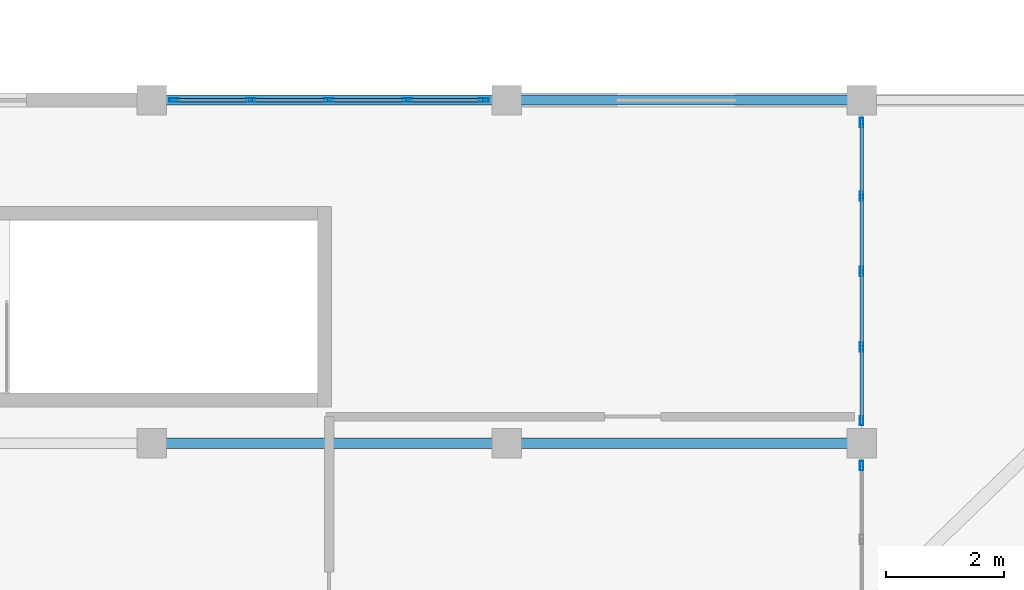
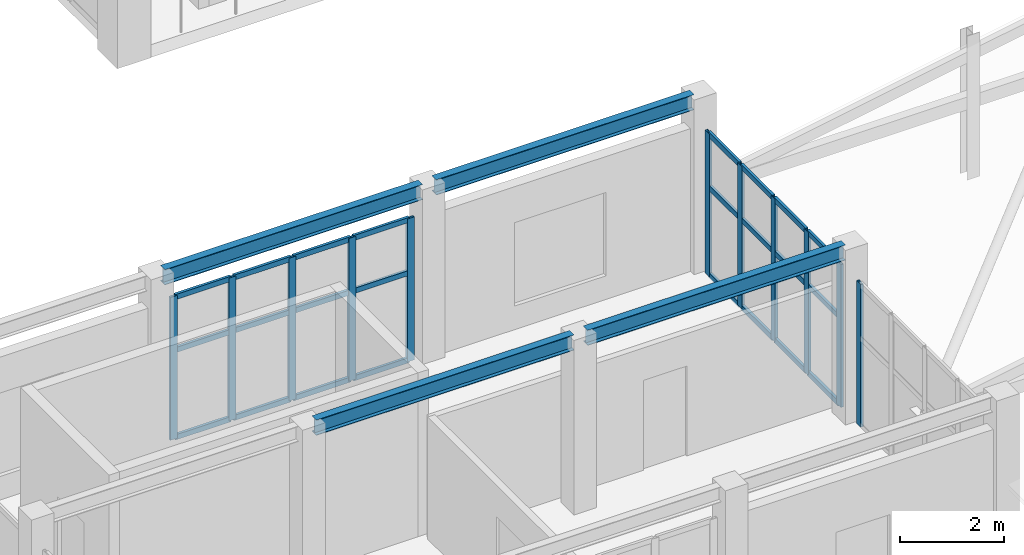
# One storey, part 18 of 128: 35 members, 4 beams, 3 elements without a shape of their own.
"""IFC4 building model written with IfcOpenShell, lengths in metres."""

from ifc_helpers import new_model, si_unit, direction, frame, origin, origin_2d, place, context, subcontext, project, spatial, hollow_rectangle, i_section, extrude, material, material_profile, profile_set, type_object, element, aggregate, save


model = new_model("IFC4")

# Units and contexts
model_context = context("Model", 3, precision=1e-05, world=origin(), true_north=direction((0.0, 1.0)))
body_context = subcontext(model_context, "Body", "Model", "MODEL_VIEW")
ifc_project = project(units=[si_unit("LENGTHUNIT", "METRE"), si_unit("AREAUNIT", "SQUARE_METRE"), si_unit("VOLUMEUNIT", "CUBIC_METRE"), si_unit("PLANEANGLEUNIT", "RADIAN"), si_unit("MASSUNIT", "GRAM", prefix="KILO")], contexts=[model_context])

# Site, building, storey
site_placement = place(None, origin())
site = spatial("IfcSite", under=ifc_project, at=site_placement, CompositionType="ELEMENT")
building_placement = place(site_placement, origin())
building = spatial("IfcBuilding", under=site, at=building_placement, Name="Tanwirah Colonnade Gardens", CompositionType="ELEMENT")
storey_placement = place(building_placement, frame((0.0, 0.0, 4.760009765625)))
storey = spatial("IfcBuildingStorey", under=building, at=storey_placement, Name="L01", CompositionType="ELEMENT", Elevation=4.760009765625)

# Curtain wall, members
ifc_material_1 = material(Name="Bronze-anodised aluminium and solar-control low-E glass", Category="aluminium")
curtain_wall_type = type_object("IfcCurtainWallType", Name="CW-SHP", PredefinedType="NOTDEFINED", material=ifc_material_1)
curtain_wall_1_placement = place(storey_placement, origin())
curtain_wall_1 = element("IfcCurtainWall", 1, at=curtain_wall_1_placement, inside=storey, type_object=curtain_wall_type, Name="Curtain Wall CW-SHP-W-L01-N-1", PredefinedType="NOTDEFINED")
ifc_material_2 = material(Name="Bronze-anodised aluminium", Category="aluminium")
ifc_material_profile_1 = material_profile(ifc_material_2, hollow_rectangle(XDim=0.06005859375, YDim=0.159912109375, WallThickness=0.00390625, at=origin_2d()), Name="CW-MUL 60x160x4")
ifc_profile_set_1 = profile_set([ifc_material_profile_1], Name="Bronze-anodised aluminium")
member_type_1 = type_object("IfcMemberType", Name="CWM-60x160", PredefinedType="MULLION", material=ifc_profile_set_1)
member_1_placement = place(storey_placement, frame((72.3798828125, 28.199951171875, 0.0), z_axis=(0.0, 0.0, 1.0), x_axis=(0.0, 1.0, 0.0)))
member_1 = element("IfcMember", 2, at=member_1_placement, type_object=member_type_1, Name="CW-SHP mullion 1", PredefinedType="MULLION", context=body_context, shape_type="SweptSolid", body=[
    extrude(hollow_rectangle(XDim=0.06005859375, YDim=0.159912109375, WallThickness=0.00390625, at=origin_2d()), origin(), (0.0, 0.0, 1.0), 3.340087890625),
])
member_2_placement = place(storey_placement, frame((73.675048828125, 28.199951171875, 0.0), z_axis=(0.0, 0.0, 1.0), x_axis=(0.0, 1.0, 0.0)))
member_2 = element("IfcMember", 3, at=member_2_placement, type_object=member_type_1, Name="CW-SHP mullion 2", PredefinedType="MULLION", context=body_context, shape_type="SweptSolid", body=[
    extrude(hollow_rectangle(XDim=0.06005859375, YDim=0.159912109375, WallThickness=0.00390625, at=origin_2d()), origin(), (0.0, 0.0, 1.0), 3.340087890625),
])
member_3_placement = place(storey_placement, frame((75.0, 28.199951171875, 0.0), z_axis=(0.0, 0.0, 1.0), x_axis=(0.0, 1.0, 0.0)))
member_3 = element("IfcMember", 4, at=member_3_placement, type_object=member_type_1, Name="CW-SHP mullion 3", PredefinedType="MULLION", context=body_context, shape_type="SweptSolid", body=[
    extrude(hollow_rectangle(XDim=0.06005859375, YDim=0.159912109375, WallThickness=0.00390625, at=origin_2d()), origin(), (0.0, 0.0, 1.0), 3.340087890625),
])
member_4_placement = place(storey_placement, frame((76.324951171875, 28.199951171875, 0.0), z_axis=(0.0, 0.0, 1.0), x_axis=(0.0, 1.0, 0.0)))
member_4 = element("IfcMember", 5, at=member_4_placement, type_object=member_type_1, Name="CW-SHP mullion 4", PredefinedType="MULLION", context=body_context, shape_type="SweptSolid", body=[
    extrude(hollow_rectangle(XDim=0.06005859375, YDim=0.159912109375, WallThickness=0.00390625, at=origin_2d()), origin(), (0.0, 0.0, 1.0), 3.340087890625),
])
member_5_placement = place(storey_placement, frame((77.6201171875, 28.199951171875, 0.0), z_axis=(0.0, 0.0, 1.0), x_axis=(0.0, 1.0, 0.0)))
member_5 = element("IfcMember", 6, at=member_5_placement, type_object=member_type_1, Name="CW-SHP mullion 5", PredefinedType="MULLION", context=body_context, shape_type="SweptSolid", body=[
    extrude(hollow_rectangle(XDim=0.06005859375, YDim=0.159912109375, WallThickness=0.00390625, at=origin_2d()), origin(), (0.0, 0.0, 1.0), 3.340087890625),
])

# Curtain wall, member
curtain_wall_2_placement = place(storey_placement, origin())
curtain_wall_2 = element("IfcCurtainWall", 7, at=curtain_wall_2_placement, inside=storey, type_object=curtain_wall_type, Name="Curtain Wall CW-SHP-W-L01-E-1", PredefinedType="NOTDEFINED")
member_6_placement = place(storey_placement, frame((84.0, 22.02001953125, 0.0), z_axis=(0.0, 0.0, 1.0), x_axis=(-1.0, 0.0, 0.0)))
member_6 = element("IfcMember", 8, at=member_6_placement, type_object=member_type_1, Name="CW-SHP mullion 5", PredefinedType="MULLION", context=body_context, shape_type="SweptSolid", body=[
    extrude(hollow_rectangle(XDim=0.06005859375, YDim=0.159912109375, WallThickness=0.00390625, at=origin_2d()), origin(), (0.0, 0.0, 1.0), 3.340087890625),
])
aggregate(curtain_wall_2, [member_6])

# Curtain wall, members
curtain_wall_3_placement = place(storey_placement, origin())
curtain_wall_3 = element("IfcCurtainWall", 9, at=curtain_wall_3_placement, inside=storey, type_object=curtain_wall_type, Name="Curtain Wall CW-SHP-W-L01-E-2", PredefinedType="NOTDEFINED")
member_7_placement = place(storey_placement, frame((84.0, 22.780029296875, 0.0), z_axis=(0.0, 0.0, 1.0), x_axis=(-1.0, 0.0, 0.0)))
member_7 = element("IfcMember", 10, at=member_7_placement, type_object=member_type_1, Name="CW-SHP mullion 1", PredefinedType="MULLION", context=body_context, shape_type="SweptSolid", body=[
    extrude(hollow_rectangle(XDim=0.06005859375, YDim=0.159912109375, WallThickness=0.00390625, at=origin_2d()), origin(), (0.0, 0.0, 1.0), 3.340087890625),
])
member_8_placement = place(storey_placement, frame((84.0, 24.02490234375, 0.0), z_axis=(0.0, 0.0, 1.0), x_axis=(-1.0, 0.0, 0.0)))
member_8 = element("IfcMember", 11, at=member_8_placement, type_object=member_type_1, Name="CW-SHP mullion 2", PredefinedType="MULLION", context=body_context, shape_type="SweptSolid", body=[
    extrude(hollow_rectangle(XDim=0.06005859375, YDim=0.159912109375, WallThickness=0.00390625, at=origin_2d()), origin(), (0.0, 0.0, 1.0), 3.340087890625),
])
member_9_placement = place(storey_placement, frame((84.0, 25.300048828125, 0.0), z_axis=(0.0, 0.0, 1.0), x_axis=(-1.0, 0.0, 0.0)))
member_9 = element("IfcMember", 12, at=member_9_placement, type_object=member_type_1, Name="CW-SHP mullion 3", PredefinedType="MULLION", context=body_context, shape_type="SweptSolid", body=[
    extrude(hollow_rectangle(XDim=0.06005859375, YDim=0.159912109375, WallThickness=0.00390625, at=origin_2d()), origin(), (0.0, 0.0, 1.0), 3.340087890625),
])
member_10_placement = place(storey_placement, frame((84.0, 26.574951171875, 0.0), z_axis=(0.0, 0.0, 1.0), x_axis=(-1.0, 0.0, 0.0)))
member_10 = element("IfcMember", 13, at=member_10_placement, type_object=member_type_1, Name="CW-SHP mullion 4", PredefinedType="MULLION", context=body_context, shape_type="SweptSolid", body=[
    extrude(hollow_rectangle(XDim=0.06005859375, YDim=0.159912109375, WallThickness=0.00390625, at=origin_2d()), origin(), (0.0, 0.0, 1.0), 3.340087890625),
])
member_11_placement = place(storey_placement, frame((84.0, 27.820068359375, 0.0), z_axis=(0.0, 0.0, 1.0), x_axis=(-1.0, 0.0, 0.0)))
member_11 = element("IfcMember", 14, at=member_11_placement, type_object=member_type_1, Name="CW-SHP mullion 5", PredefinedType="MULLION", context=body_context, shape_type="SweptSolid", body=[
    extrude(hollow_rectangle(XDim=0.06005859375, YDim=0.159912109375, WallThickness=0.00390625, at=origin_2d()), origin(), (0.0, 0.0, 1.0), 3.340087890625),
])

# Member
ifc_material_profile_2 = material_profile(ifc_material_2, hollow_rectangle(XDim=0.06005859375, YDim=0.1201171875, WallThickness=0.00390625, at=origin_2d()), Name="CW-TRN 60x120x4")
ifc_profile_set_2 = profile_set([ifc_material_profile_2], Name="Bronze-anodised aluminium")
member_type_2 = type_object("IfcMemberType", Name="CWT-60x120", PredefinedType="USERDEFINED", material=ifc_profile_set_2)
member_12_placement = place(storey_placement, frame((72.409912109375, 28.199951171875, 0.030029296875), z_axis=(1.0, 0.0, 0.0), x_axis=(0.0, 1.0, 0.0)))
member_12 = element("IfcMember", 15, at=member_12_placement, type_object=member_type_2, Name="CW-SHP transom 1.1", ObjectType="TRANSOM", PredefinedType="USERDEFINED", context=body_context, shape_type="SweptSolid", body=[
    extrude(hollow_rectangle(XDim=0.06005859375, YDim=0.1201171875, WallThickness=0.00390625, at=origin_2d()), origin(), (0.0, 0.0, 1.0), 1.235107421875),
])

member_13_placement = place(storey_placement, frame((72.409912109375, 28.199951171875, 2.07080078125), z_axis=(1.0, 0.0, 0.0), x_axis=(0.0, 1.0, 0.0)))
member_13 = element("IfcMember", 16, at=member_13_placement, type_object=member_type_2, Name="CW-SHP transom 1.2", ObjectType="TRANSOM", PredefinedType="USERDEFINED", context=body_context, shape_type="SweptSolid", body=[
    extrude(hollow_rectangle(XDim=0.06005859375, YDim=0.1201171875, WallThickness=0.00390625, at=origin_2d()), origin(), (0.0, 0.0, 1.0), 1.235107421875),
])

member_14_placement = place(storey_placement, frame((72.409912109375, 28.199951171875, 3.31005859375), z_axis=(1.0, 0.0, 0.0), x_axis=(0.0, 1.0, 0.0)))
member_14 = element("IfcMember", 17, at=member_14_placement, type_object=member_type_2, Name="CW-SHP transom 1.3", ObjectType="TRANSOM", PredefinedType="USERDEFINED", context=body_context, shape_type="SweptSolid", body=[
    extrude(hollow_rectangle(XDim=0.06005859375, YDim=0.1201171875, WallThickness=0.00390625, at=origin_2d()), origin(), (0.0, 0.0, 1.0), 1.235107421875),
])

member_15_placement = place(storey_placement, frame((73.705078125, 28.199951171875, 0.030029296875), z_axis=(1.0, 0.0, 0.0), x_axis=(0.0, 1.0, 0.0)))
member_15 = element("IfcMember", 18, at=member_15_placement, type_object=member_type_2, Name="CW-SHP transom 2.1", ObjectType="TRANSOM", PredefinedType="USERDEFINED", context=body_context, shape_type="SweptSolid", body=[
    extrude(hollow_rectangle(XDim=0.06005859375, YDim=0.1201171875, WallThickness=0.00390625, at=origin_2d()), origin(), (0.0, 0.0, 1.0), 1.264892578125),
])

member_16_placement = place(storey_placement, frame((73.705078125, 28.199951171875, 2.07080078125), z_axis=(1.0, 0.0, 0.0), x_axis=(0.0, 1.0, 0.0)))
member_16 = element("IfcMember", 19, at=member_16_placement, type_object=member_type_2, Name="CW-SHP transom 2.2", ObjectType="TRANSOM", PredefinedType="USERDEFINED", context=body_context, shape_type="SweptSolid", body=[
    extrude(hollow_rectangle(XDim=0.06005859375, YDim=0.1201171875, WallThickness=0.00390625, at=origin_2d()), origin(), (0.0, 0.0, 1.0), 1.264892578125),
])

member_17_placement = place(storey_placement, frame((73.705078125, 28.199951171875, 3.31005859375), z_axis=(1.0, 0.0, 0.0), x_axis=(0.0, 1.0, 0.0)))
member_17 = element("IfcMember", 20, at=member_17_placement, type_object=member_type_2, Name="CW-SHP transom 2.3", ObjectType="TRANSOM", PredefinedType="USERDEFINED", context=body_context, shape_type="SweptSolid", body=[
    extrude(hollow_rectangle(XDim=0.06005859375, YDim=0.1201171875, WallThickness=0.00390625, at=origin_2d()), origin(), (0.0, 0.0, 1.0), 1.264892578125),
])

member_18_placement = place(storey_placement, frame((75.030029296875, 28.199951171875, 0.030029296875), z_axis=(1.0, 0.0, 0.0), x_axis=(0.0, 1.0, 0.0)))
member_18 = element("IfcMember", 21, at=member_18_placement, type_object=member_type_2, Name="CW-SHP transom 3.1", ObjectType="TRANSOM", PredefinedType="USERDEFINED", context=body_context, shape_type="SweptSolid", body=[
    extrude(hollow_rectangle(XDim=0.06005859375, YDim=0.1201171875, WallThickness=0.00390625, at=origin_2d()), origin(), (0.0, 0.0, 1.0), 1.264892578125),
])

member_19_placement = place(storey_placement, frame((75.030029296875, 28.199951171875, 2.07080078125), z_axis=(1.0, 0.0, 0.0), x_axis=(0.0, 1.0, 0.0)))
member_19 = element("IfcMember", 22, at=member_19_placement, type_object=member_type_2, Name="CW-SHP transom 3.2", ObjectType="TRANSOM", PredefinedType="USERDEFINED", context=body_context, shape_type="SweptSolid", body=[
    extrude(hollow_rectangle(XDim=0.06005859375, YDim=0.1201171875, WallThickness=0.00390625, at=origin_2d()), origin(), (0.0, 0.0, 1.0), 1.264892578125),
])

member_20_placement = place(storey_placement, frame((75.030029296875, 28.199951171875, 3.31005859375), z_axis=(1.0, 0.0, 0.0), x_axis=(0.0, 1.0, 0.0)))
member_20 = element("IfcMember", 23, at=member_20_placement, type_object=member_type_2, Name="CW-SHP transom 3.3", ObjectType="TRANSOM", PredefinedType="USERDEFINED", context=body_context, shape_type="SweptSolid", body=[
    extrude(hollow_rectangle(XDim=0.06005859375, YDim=0.1201171875, WallThickness=0.00390625, at=origin_2d()), origin(), (0.0, 0.0, 1.0), 1.264892578125),
])

member_21_placement = place(storey_placement, frame((76.35498046875, 28.199951171875, 0.030029296875), z_axis=(1.0, 0.0, 0.0), x_axis=(0.0, 1.0, 0.0)))
member_21 = element("IfcMember", 24, at=member_21_placement, type_object=member_type_2, Name="CW-SHP transom 4.1", ObjectType="TRANSOM", PredefinedType="USERDEFINED", context=body_context, shape_type="SweptSolid", body=[
    extrude(hollow_rectangle(XDim=0.06005859375, YDim=0.1201171875, WallThickness=0.00390625, at=origin_2d()), origin(), (0.0, 0.0, 1.0), 1.235107421875),
])

member_22_placement = place(storey_placement, frame((76.35498046875, 28.199951171875, 2.07080078125), z_axis=(1.0, 0.0, 0.0), x_axis=(0.0, 1.0, 0.0)))
member_22 = element("IfcMember", 25, at=member_22_placement, type_object=member_type_2, Name="CW-SHP transom 4.2", ObjectType="TRANSOM", PredefinedType="USERDEFINED", context=body_context, shape_type="SweptSolid", body=[
    extrude(hollow_rectangle(XDim=0.06005859375, YDim=0.1201171875, WallThickness=0.00390625, at=origin_2d()), origin(), (0.0, 0.0, 1.0), 1.235107421875),
])

member_23_placement = place(storey_placement, frame((76.35498046875, 28.199951171875, 3.31005859375), z_axis=(1.0, 0.0, 0.0), x_axis=(0.0, 1.0, 0.0)))
member_23 = element("IfcMember", 26, at=member_23_placement, type_object=member_type_2, Name="CW-SHP transom 4.3", ObjectType="TRANSOM", PredefinedType="USERDEFINED", context=body_context, shape_type="SweptSolid", body=[
    extrude(hollow_rectangle(XDim=0.06005859375, YDim=0.1201171875, WallThickness=0.00390625, at=origin_2d()), origin(), (0.0, 0.0, 1.0), 1.235107421875),
])

aggregate(curtain_wall_1, [member_1, member_2, member_3, member_4, member_5, member_12, member_13, member_14, member_15, member_16, member_17, member_18, member_19, member_20, member_21, member_22, member_23])

member_24_placement = place(storey_placement, frame((84.0, 22.81005859375, 0.030029296875), z_axis=(0.0, 1.0, 0.0), x_axis=(-1.0, 0.0, 0.0)))
member_24 = element("IfcMember", 27, at=member_24_placement, type_object=member_type_2, Name="CW-SHP transom 1.1", ObjectType="TRANSOM", PredefinedType="USERDEFINED", context=body_context, shape_type="SweptSolid", body=[
    extrude(hollow_rectangle(XDim=0.06005859375, YDim=0.1201171875, WallThickness=0.00390625, at=origin_2d()), origin(), (0.0, 0.0, 1.0), 1.18505859375),
])

member_25_placement = place(storey_placement, frame((84.0, 22.81005859375, 2.07080078125), z_axis=(0.0, 1.0, 0.0), x_axis=(-1.0, 0.0, 0.0)))
member_25 = element("IfcMember", 28, at=member_25_placement, type_object=member_type_2, Name="CW-SHP transom 1.2", ObjectType="TRANSOM", PredefinedType="USERDEFINED", context=body_context, shape_type="SweptSolid", body=[
    extrude(hollow_rectangle(XDim=0.06005859375, YDim=0.1201171875, WallThickness=0.00390625, at=origin_2d()), origin(), (0.0, 0.0, 1.0), 1.18505859375),
])

member_26_placement = place(storey_placement, frame((84.0, 22.81005859375, 3.31005859375), z_axis=(0.0, 1.0, 0.0), x_axis=(-1.0, 0.0, 0.0)))
member_26 = element("IfcMember", 29, at=member_26_placement, type_object=member_type_2, Name="CW-SHP transom 1.3", ObjectType="TRANSOM", PredefinedType="USERDEFINED", context=body_context, shape_type="SweptSolid", body=[
    extrude(hollow_rectangle(XDim=0.06005859375, YDim=0.1201171875, WallThickness=0.00390625, at=origin_2d()), origin(), (0.0, 0.0, 1.0), 1.18505859375),
])

member_27_placement = place(storey_placement, frame((84.0, 24.054931640625, 0.030029296875), z_axis=(0.0, 1.0, 0.0), x_axis=(-1.0, 0.0, 0.0)))
member_27 = element("IfcMember", 30, at=member_27_placement, type_object=member_type_2, Name="CW-SHP transom 2.1", ObjectType="TRANSOM", PredefinedType="USERDEFINED", context=body_context, shape_type="SweptSolid", body=[
    extrude(hollow_rectangle(XDim=0.06005859375, YDim=0.1201171875, WallThickness=0.00390625, at=origin_2d()), origin(), (0.0, 0.0, 1.0), 1.215087890625),
])

member_28_placement = place(storey_placement, frame((84.0, 24.054931640625, 2.07080078125), z_axis=(0.0, 1.0, 0.0), x_axis=(-1.0, 0.0, 0.0)))
member_28 = element("IfcMember", 31, at=member_28_placement, type_object=member_type_2, Name="CW-SHP transom 2.2", ObjectType="TRANSOM", PredefinedType="USERDEFINED", context=body_context, shape_type="SweptSolid", body=[
    extrude(hollow_rectangle(XDim=0.06005859375, YDim=0.1201171875, WallThickness=0.00390625, at=origin_2d()), origin(), (0.0, 0.0, 1.0), 1.215087890625),
])

member_29_placement = place(storey_placement, frame((84.0, 24.054931640625, 3.31005859375), z_axis=(0.0, 1.0, 0.0), x_axis=(-1.0, 0.0, 0.0)))
member_29 = element("IfcMember", 32, at=member_29_placement, type_object=member_type_2, Name="CW-SHP transom 2.3", ObjectType="TRANSOM", PredefinedType="USERDEFINED", context=body_context, shape_type="SweptSolid", body=[
    extrude(hollow_rectangle(XDim=0.06005859375, YDim=0.1201171875, WallThickness=0.00390625, at=origin_2d()), origin(), (0.0, 0.0, 1.0), 1.215087890625),
])

member_30_placement = place(storey_placement, frame((84.0, 25.330078125, 0.030029296875), z_axis=(0.0, 1.0, 0.0), x_axis=(-1.0, 0.0, 0.0)))
member_30 = element("IfcMember", 33, at=member_30_placement, type_object=member_type_2, Name="CW-SHP transom 3.1", ObjectType="TRANSOM", PredefinedType="USERDEFINED", context=body_context, shape_type="SweptSolid", body=[
    extrude(hollow_rectangle(XDim=0.06005859375, YDim=0.1201171875, WallThickness=0.00390625, at=origin_2d()), origin(), (0.0, 0.0, 1.0), 1.21484375),
])

member_31_placement = place(storey_placement, frame((84.0, 25.330078125, 2.07080078125), z_axis=(0.0, 1.0, 0.0), x_axis=(-1.0, 0.0, 0.0)))
member_31 = element("IfcMember", 34, at=member_31_placement, type_object=member_type_2, Name="CW-SHP transom 3.2", ObjectType="TRANSOM", PredefinedType="USERDEFINED", context=body_context, shape_type="SweptSolid", body=[
    extrude(hollow_rectangle(XDim=0.06005859375, YDim=0.1201171875, WallThickness=0.00390625, at=origin_2d()), origin(), (0.0, 0.0, 1.0), 1.21484375),
])

member_32_placement = place(storey_placement, frame((84.0, 25.330078125, 3.31005859375), z_axis=(0.0, 1.0, 0.0), x_axis=(-1.0, 0.0, 0.0)))
member_32 = element("IfcMember", 35, at=member_32_placement, type_object=member_type_2, Name="CW-SHP transom 3.3", ObjectType="TRANSOM", PredefinedType="USERDEFINED", context=body_context, shape_type="SweptSolid", body=[
    extrude(hollow_rectangle(XDim=0.06005859375, YDim=0.1201171875, WallThickness=0.00390625, at=origin_2d()), origin(), (0.0, 0.0, 1.0), 1.21484375),
])

member_33_placement = place(storey_placement, frame((84.0, 26.60498046875, 0.030029296875), z_axis=(0.0, 1.0, 0.0), x_axis=(-1.0, 0.0, 0.0)))
member_33 = element("IfcMember", 36, at=member_33_placement, type_object=member_type_2, Name="CW-SHP transom 4.1", ObjectType="TRANSOM", PredefinedType="USERDEFINED", context=body_context, shape_type="SweptSolid", body=[
    extrude(hollow_rectangle(XDim=0.06005859375, YDim=0.1201171875, WallThickness=0.00390625, at=origin_2d()), origin(), (0.0, 0.0, 1.0), 1.18505859375),
])

member_34_placement = place(storey_placement, frame((84.0, 26.60498046875, 2.07080078125), z_axis=(0.0, 1.0, 0.0), x_axis=(-1.0, 0.0, 0.0)))
member_34 = element("IfcMember", 37, at=member_34_placement, type_object=member_type_2, Name="CW-SHP transom 4.2", ObjectType="TRANSOM", PredefinedType="USERDEFINED", context=body_context, shape_type="SweptSolid", body=[
    extrude(hollow_rectangle(XDim=0.06005859375, YDim=0.1201171875, WallThickness=0.00390625, at=origin_2d()), origin(), (0.0, 0.0, 1.0), 1.18505859375),
])

member_35_placement = place(storey_placement, frame((84.0, 26.60498046875, 3.31005859375), z_axis=(0.0, 1.0, 0.0), x_axis=(-1.0, 0.0, 0.0)))
member_35 = element("IfcMember", 38, at=member_35_placement, type_object=member_type_2, Name="CW-SHP transom 4.3", ObjectType="TRANSOM", PredefinedType="USERDEFINED", context=body_context, shape_type="SweptSolid", body=[
    extrude(hollow_rectangle(XDim=0.06005859375, YDim=0.1201171875, WallThickness=0.00390625, at=origin_2d()), origin(), (0.0, 0.0, 1.0), 1.18505859375),
])

aggregate(curtain_wall_3, [member_7, member_8, member_9, member_10, member_11, member_24, member_25, member_26, member_27, member_28, member_29, member_30, member_31, member_32, member_33, member_34, member_35])

# Beams
ifc_material_3 = material(Name="Steel S355", Category="steel")
ifc_material_profile_3 = material_profile(ifc_material_3, i_section(OverallWidth=0.169921875, OverallDepth=0.360107421875, WebThickness=0.008056640625, FlangeThickness=0.0126953125, at=origin_2d()), Name="IPE 360")
ifc_profile_set_3 = profile_set([ifc_material_profile_3], Name="Steel S355")
beam_type = type_object("IfcBeamType", Name="SBM-IPE360", PredefinedType="BEAM", material=ifc_profile_set_3)
for number, where, z_axis, x_axis, name in (
    (39, (72.14990234375, 22.39990234375, 3.89990234375), (1.0, 0.0, 0.0), (0.0, 1.0, 0.0), "Boulevard Shops W L01 Beam 1.2"),
    (40, (78.14990234375, 22.39990234375, 3.89990234375), (1.0, 0.0, 0.0), (0.0, 1.0, 0.0), "Boulevard Shops W L01 Beam 2.2"),
    (41, (72.14990234375, 28.199951171875, 3.89990234375), (1.0, 0.0, 0.0), (0.0, 1.0, 0.0), "Boulevard Shops W L01 Beam 1.3"),
    (42, (78.14990234375, 28.199951171875, 3.89990234375), (1.0, 0.0, 0.0), (0.0, 1.0, 0.0), "Boulevard Shops W L01 Beam 2.3"),
):
    element("IfcBeam", number, at=place(storey_placement, frame(where, z_axis=z_axis, x_axis=x_axis)), inside=storey, type_object=beam_type, Name=name, PredefinedType="BEAM", context=body_context, shape_type="SweptSolid", body=[
        extrude(i_section(OverallWidth=0.169921875, OverallDepth=0.360107421875, WebThickness=0.008056640625, FlangeThickness=0.0126953125, at=origin_2d()), origin(), (0.0, 0.0, 1.0), 5.7001953125),
    ])

save(model, "model.ifc")
